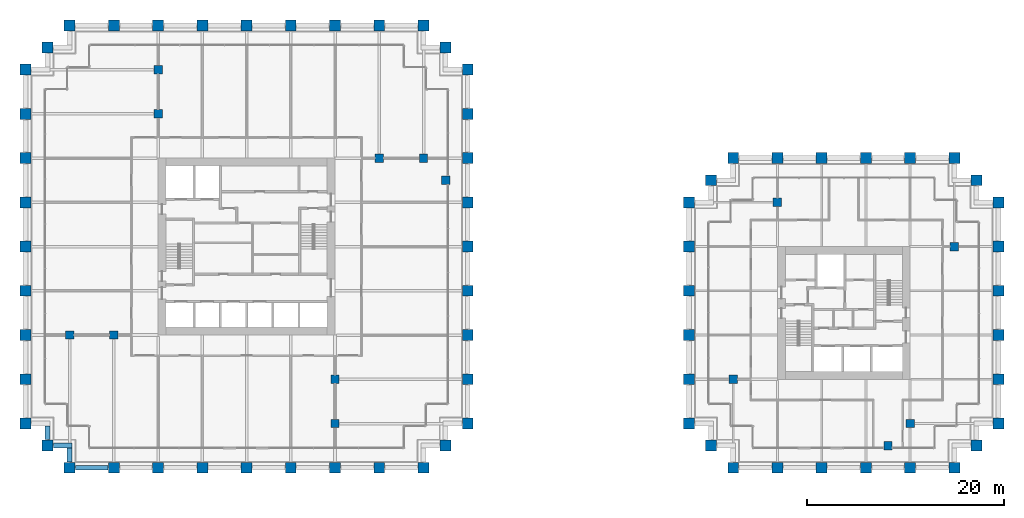
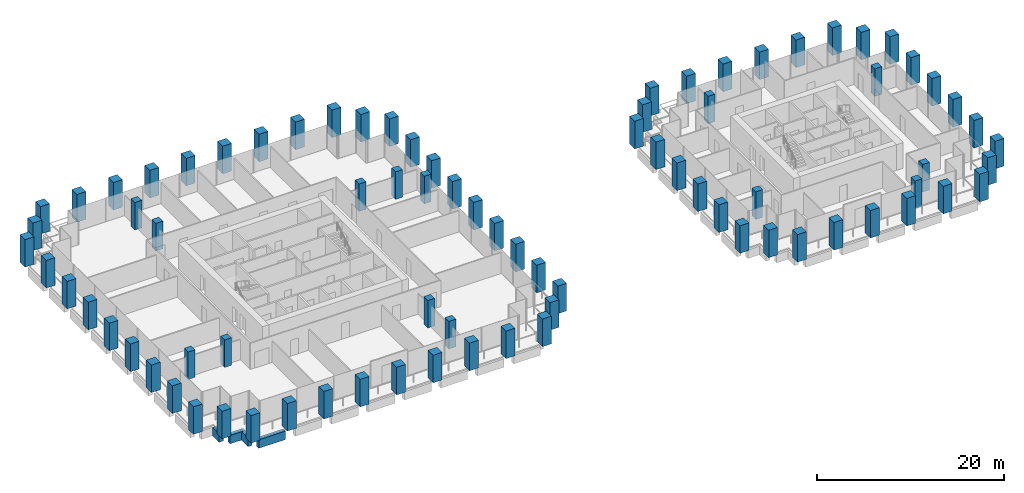
# One storey, part 1 of 55: 82 columns, 4 beams.
"""IFC4 building model written with IfcOpenShell, lengths in metres."""

import ifcopenshell
import ifcopenshell.guid

model = None  # the IFC model being written
_history = None  # IfcOwnerHistory: only IFC2X3 demands one
_inside = {}  # id of a spatial element -> (the spatial element, [elements in it])
_under = {}  # id of a project, library or spatial element -> (it, [spatial elements below it])
_declared = {}  # id of a project -> (the project, [libraries it declares])
_typed = {}  # id of a type object -> (the type object, [elements of that type])
_made_of = {}  # id of a material, layer set ... -> (it, [elements and type objects made of it])


def new_model(schema):
    """Start an empty IFC model of exactly this schema.

    Asked for "IFC4X3", IfcOpenShell would pick the latest addendum, in which some entities
    have other attributes; the version numbers below select the first issue.
    IFC2X3 requires an IfcOwnerHistory on every rooted entity: one is made here for all.
    """
    global model, _history
    if schema == "IFC4X3":
        model = ifcopenshell.file(schema_version=(4, 3, 0, 0))
    else:
        model = ifcopenshell.file(schema=schema)
    _inside.clear()
    _under.clear()
    _declared.clear()
    _typed.clear()
    _made_of.clear()
    _history = None
    if model.schema == "IFC2X3":
        org = make("IfcOrganization", Name="unknown")
        user = make(
            "IfcPersonAndOrganization",
            ThePerson=make("IfcPerson", FamilyName="unknown"),
            TheOrganization=org,
        )
        app = make(
            "IfcApplication",
            ApplicationDeveloper=org,
            Version="unknown",
            ApplicationFullName="unknown",
            ApplicationIdentifier="unknown",
        )
        _history = make(
            "IfcOwnerHistory",
            OwningUser=user,
            OwningApplication=app,
            ChangeAction="ADDED",
            CreationDate=0,
        )
    return model


def make(cls, **values):
    """One entity of the class cls with the attributes given. An attribute that is None is left unset."""
    return model.create_entity(
        cls, **{name: value for name, value in values.items() if value is not None}
    )


def rooted(cls, **values):
    """An entity with a GlobalId (a new one), such as an element, a storey or a relation."""
    return make(cls, GlobalId=ifcopenshell.guid.new(), OwnerHistory=_history, **values)


def si_unit(unit_type, name, prefix=None):
    """IfcSIUnit, for example si_unit("LENGTHUNIT", "METRE", prefix="MILLI")."""
    return make("IfcSIUnit", UnitType=unit_type, Prefix=prefix, Name=name)


def assignment(units):
    """IfcUnitAssignment: the units of a project."""
    return None if units is None else make("IfcUnitAssignment", Units=units)


def point(xyz):
    """IfcCartesianPoint."""
    return None if xyz is None else make("IfcCartesianPoint", Coordinates=xyz)


def direction(xyz):
    """IfcDirection."""
    return None if xyz is None else make("IfcDirection", DirectionRatios=xyz)


def frame(location, z_axis=None, x_axis=None):
    """IfcAxis2Placement3D, a coordinate frame: its origin and axes. An axis left out is left unset."""
    return make(
        "IfcAxis2Placement3D",
        Location=point(location),
        Axis=direction(z_axis),
        RefDirection=direction(x_axis),
    )


def frame_2d(location, x_axis=None):
    """IfcAxis2Placement2D, a coordinate frame in the plane: its origin and x axis."""
    return make(
        "IfcAxis2Placement2D", Location=point(location), RefDirection=direction(x_axis)
    )


def origin():
    """The frame at (0, 0, 0) with its axes left unset."""
    return frame((0.0, 0.0, 0.0))


def origin_2d():
    """The frame at (0, 0) in the plane with its x axis left unset."""
    return frame_2d((0.0, 0.0))


def place(relative_to, where):
    """IfcLocalPlacement: puts the frame where relative to a parent placement (None: the world)."""
    return make(
        "IfcLocalPlacement", PlacementRelTo=relative_to, RelativePlacement=where
    )


def context(
    kind, dimensions, precision=None, world=None, true_north=None, identifier=None
):
    """IfcGeometricRepresentationContext, for example the 3D "Model" context."""
    return make(
        "IfcGeometricRepresentationContext",
        ContextIdentifier=identifier,
        ContextType=kind,
        CoordinateSpaceDimension=dimensions,
        Precision=precision,
        WorldCoordinateSystem=world,
        TrueNorth=true_north,
    )


def subcontext(parent, identifier, kind, view, scale=None):
    """IfcGeometricRepresentationSubContext, for example "Body" below "Model"."""
    return make(
        "IfcGeometricRepresentationSubContext",
        ContextIdentifier=identifier,
        ContextType=kind,
        ParentContext=parent,
        TargetScale=scale,
        TargetView=view,
    )


def project(units=None, contexts=None):
    """IfcProject with its units and contexts."""
    return rooted(
        "IfcProject",
        Name="project",
        RepresentationContexts=contexts,
        UnitsInContext=assignment(units),
    )


def spatial(cls, under=None, at=None, **own):
    """A site, building, storey or space (cls), placed at a placement, below another one or the project."""
    s = rooted(cls, ObjectPlacement=at, **own)
    if under is not None:
        _under.setdefault(under.id(), (under, []))[1].append(s)
    return s


def profile(cls, at=None, kind="AREA", **sizes):
    """A parametric profile (cls). Its sizes go by their IFC names, for example OverallWidth=200.0."""
    return make(cls, ProfileType=kind, Position=at, **sizes)


def rectangle(**sizes):
    """IfcRectangleProfileDef."""
    return profile("IfcRectangleProfileDef", **sizes)


def extrude(swept, where, along, depth):
    """IfcExtrudedAreaSolid: the profile swept, set in the frame where, extruded along a direction by depth."""
    return make(
        "IfcExtrudedAreaSolid",
        SweptArea=swept,
        Position=where,
        ExtrudedDirection=direction(along),
        Depth=depth,
    )


def shape(context_of_items, identifier, shape_type, items):
    """IfcShapeRepresentation: the items that make up one representation, for example the "Body"."""
    return make(
        "IfcShapeRepresentation",
        ContextOfItems=context_of_items,
        RepresentationIdentifier=identifier,
        RepresentationType=shape_type,
        Items=items,
    )


def material(Name=None, Category=None):
    """IfcMaterial."""
    return make("IfcMaterial", Name=Name, Category=Category)


def material_profile(
    of_material, cross_section, Name=None, Category=None, Priority=None
):
    """IfcMaterialProfile: a cross section and its material."""
    return make(
        "IfcMaterialProfile",
        Name=Name,
        Material=of_material,
        Profile=cross_section,
        Priority=Priority,
        Category=Category,
    )


def profile_set(profiles, Name=None, composite=None):
    """IfcMaterialProfileSet."""
    return make(
        "IfcMaterialProfileSet",
        Name=Name,
        MaterialProfiles=profiles,
        CompositeProfile=composite,
    )


def made_of(thing, what):
    """Note that an element or type object is made of a material, layer set ...; save() writes the relation."""
    if what is not None:
        _made_of.setdefault(what.id(), (what, []))[1].append(thing)
    return thing


def type_object(cls, material=None, **own):
    """A type object (cls), such as IfcWallType, which elements share."""
    return made_of(rooted(cls, **own), material)


def element(
    cls,
    number,
    at=None,
    inside=None,
    cuts=None,
    type_object=None,
    material=None,
    context=None,
    identifier="Body",
    shape_type=None,
    held_by="IfcProductDefinitionShape",
    body=None,
    shapes=None,
    **own,
):
    """One element of the class cls, such as IfcWall. Its Tag is "e" and its number.

    at: its placement. inside: the storey or other place that contains it. cuts: it is an
    opening in that element (IfcRelVoidsElement). A single representation is given by context,
    identifier, shape_type and body (its items); several are given by shapes. held_by: the class
    of the entity that holds the representations. save() writes the other relations.
    """
    e = rooted(cls, Tag="e%d" % number, ObjectPlacement=at, **own)
    if body is not None:
        shapes = [shape(context, identifier, shape_type, body)]
    if shapes is not None:
        e.Representation = make(held_by, Representations=shapes)
    if inside is not None:
        _inside.setdefault(inside.id(), (inside, []))[1].append(e)
    if cuts is not None:
        rooted(
            "IfcRelVoidsElement", RelatingBuildingElement=cuts, RelatedOpeningElement=e
        )
    if type_object is not None:
        _typed.setdefault(type_object.id(), (type_object, []))[1].append(e)
    return made_of(e, material)


def aggregate(whole, parts):
    """IfcRelAggregates: a whole, such as a stair, and the parts it consists of."""
    return rooted("IfcRelAggregates", RelatingObject=whole, RelatedObjects=parts)


def save(model, path):
    """Write the relations noted so far, then the file.

    IfcRelAggregates (storeys below a building ...), IfcRelContainedInSpatialStructure (elements
    in a storey), IfcRelDefinesByType, IfcRelAssociatesMaterial and IfcRelDeclares: one each for
    every whole, place, type object, material and project.
    """
    for whole, parts in _under.values():
        aggregate(whole, parts)
    for where, things in _inside.values():
        rooted(
            "IfcRelContainedInSpatialStructure",
            RelatedElements=things,
            RelatingStructure=where,
        )
    for kind, things in _typed.values():
        rooted("IfcRelDefinesByType", RelatedObjects=things, RelatingType=kind)
    for what, things in _made_of.values():
        rooted("IfcRelAssociatesMaterial", RelatedObjects=things, RelatingMaterial=what)
    for by, libraries in _declared.values():
        rooted("IfcRelDeclares", RelatingContext=by, RelatedDefinitions=libraries)
    model.write(path)


model = new_model("IFC4")

# Units and contexts
model_context = context("Model", 3, precision=1e-05, world=origin(), true_north=direction((0.0, 1.0)))
body_context = subcontext(model_context, "Body", "Model", "MODEL_VIEW")
ifc_project = project(units=[si_unit("LENGTHUNIT", "METRE"), si_unit("AREAUNIT", "SQUARE_METRE"), si_unit("VOLUMEUNIT", "CUBIC_METRE"), si_unit("PLANEANGLEUNIT", "RADIAN"), si_unit("MASSUNIT", "GRAM", prefix="KILO")], contexts=[model_context])

# Site, building, storey
site_placement = place(None, origin())
site = spatial("IfcSite", under=ifc_project, at=site_placement, CompositionType="ELEMENT")
building_placement = place(site_placement, origin())
building = spatial("IfcBuilding", under=site, at=building_placement, Name="Altepetl Exchange Towers", CompositionType="ELEMENT")
storey_placement = place(building_placement, frame((0.0, 0.0, 47.39990234375)))
storey = spatial("IfcBuildingStorey", under=building, at=storey_placement, Name="L10", CompositionType="ELEMENT", Elevation=47.39990234375)

# Columns
ifc_material_1 = material(Name="Concrete C70/85", Category="concrete")
ifc_material_profile_1 = material_profile(ifc_material_1, rectangle(XDim=0.85009765625, YDim=0.85009765625, at=origin_2d()), Name="850 x 850")
ifc_profile_set_1 = profile_set([ifc_material_profile_1], Name="Concrete C70/85")
column_type_1 = type_object("IfcColumnType", Name="Interior column 850", PredefinedType="COLUMN", material=ifc_profile_set_1)
for number, where, name in (
    (1, (31.5, 40.5, 0.0), "col:A:L10:040"),
    (2, (36.0, 40.5, 0.0), "col:A:L10:041"),
    (3, (40.5, 63.0, 0.0), "col:A:L10:042"),
    (4, (40.5, 67.5, 0.0), "col:A:L10:043"),
    (5, (58.5, 31.5, 0.0), "col:A:L10:044"),
    (6, (58.5, 36.0, 0.0), "col:A:L10:045"),
    (7, (63.0, 58.5, 0.0), "col:A:L10:046"),
    (8, (67.5, 58.5, 0.0), "col:A:L10:047"),
    (9, (69.75, 56.25, 0.0), "col:A:L10:048"),
    (10, (99.0, 36.0, 0.0), "col:B:L10:028"),
    (11, (103.5, 54.0, 0.0), "col:B:L10:029"),
    (12, (114.75, 29.25, 0.0), "col:B:L10:030"),
    (13, (117.0, 31.5, 0.0), "col:B:L10:031"),
    (14, (121.5, 49.5, 0.0), "col:B:L10:032"),
):
    element("IfcColumn", number, at=place(storey_placement, frame(where)), inside=storey, type_object=column_type_1, Name=name, PredefinedType="COLUMN", context=body_context, shape_type="SweptSolid", body=[
        extrude(rectangle(XDim=0.85009765625, YDim=0.85009765625, at=origin_2d()), origin(), (0.0, 0.0, 1.0), 3.60009765625),
    ])
ifc_material_2 = material(Name="Concrete C70/85 precast with cantera amarilla facing", Category="concrete")
ifc_material_profile_2 = material_profile(ifc_material_2, rectangle(XDim=1.10009765625, YDim=1.10009765625, at=origin_2d()), Name="1100 x 1100")
ifc_profile_set_2 = profile_set([ifc_material_profile_2], Name="Concrete C70/85 precast with cantera amarilla facing")
column_type_2 = type_object("IfcColumnType", Name="Perimeter column 1100 cantera amarilla", PredefinedType="COLUMN", material=ifc_profile_set_2)
for number, where, name in (
    (15, (58.5, 27.0, 0.0), "col:A:L10:006"),
    (16, (63.0, 27.0, 0.0), "col:A:L10:007"),
    (17, (67.5, 27.0, 0.0), "col:A:L10:008"),
    (18, (69.75, 29.25, 0.0), "col:A:L10:009"),
    (19, (72.0, 31.5, 0.0), "col:A:L10:010"),
    (20, (72.0, 36.0, 0.0), "col:A:L10:011"),
    (21, (72.0, 40.5, 0.0), "col:A:L10:012"),
    (22, (72.0, 45.0, 0.0), "col:A:L10:013"),
    (23, (72.0, 49.5, 0.0), "col:A:L10:014"),
    (24, (72.0, 54.0, 0.0), "col:A:L10:015"),
    (25, (126.0, 49.5, 0.0), "col:B:L10:011"),
    (26, (126.0, 54.0, 0.0), "col:B:L10:012"),
    (27, (123.75, 56.25, 0.0), "col:B:L10:013"),
    (28, (121.5, 58.5, 0.0), "col:B:L10:014"),
    (29, (117.0, 58.5, 0.0), "col:B:L10:015"),
    (30, (112.5, 58.5, 0.0), "col:B:L10:016"),
    (31, (108.0, 58.5, 0.0), "col:B:L10:017"),
):
    element("IfcColumn", number, at=place(storey_placement, frame(where)), inside=storey, type_object=column_type_2, Name=name, PredefinedType="COLUMN", context=body_context, shape_type="SweptSolid", body=[
        extrude(rectangle(XDim=1.10009765625, YDim=1.10009765625, at=origin_2d()), origin(), (0.0, 0.0, 1.0), 3.60009765625),
    ])
ifc_material_3 = material(Name="Concrete C70/85 precast with cantera blanca facing", Category="concrete")
ifc_material_profile_3 = material_profile(ifc_material_3, rectangle(XDim=1.10009765625, YDim=1.10009765625, at=origin_2d()), Name="1100 x 1100")
ifc_profile_set_3 = profile_set([ifc_material_profile_3], Name="Concrete C70/85 precast with cantera blanca facing")
column_type_3 = type_object("IfcColumnType", Name="Perimeter column 1100 cantera blanca", PredefinedType="COLUMN", material=ifc_profile_set_3)
for number, where, name in (
    (32, (31.5, 27.0, 0.0), "col:A:L10:000"),
    (33, (36.0, 27.0, 0.0), "col:A:L10:001"),
    (34, (40.5, 27.0, 0.0), "col:A:L10:002"),
    (35, (45.0, 27.0, 0.0), "col:A:L10:003"),
    (36, (49.5, 27.0, 0.0), "col:A:L10:004"),
    (37, (54.0, 27.0, 0.0), "col:A:L10:005"),
    (38, (27.0, 36.0, 0.0), "col:A:L10:037"),
    (39, (27.0, 31.5, 0.0), "col:A:L10:038"),
    (40, (29.25, 29.25, 0.0), "col:A:L10:039"),
    (41, (117.0, 27.0, 0.0), "col:B:L10:004"),
    (42, (121.5, 27.0, 0.0), "col:B:L10:005"),
    (43, (123.75, 29.25, 0.0), "col:B:L10:006"),
    (44, (126.0, 31.5, 0.0), "col:B:L10:007"),
    (45, (126.0, 36.0, 0.0), "col:B:L10:008"),
    (46, (126.0, 40.5, 0.0), "col:B:L10:009"),
    (47, (126.0, 45.0, 0.0), "col:B:L10:010"),
):
    element("IfcColumn", number, at=place(storey_placement, frame(where)), inside=storey, type_object=column_type_3, Name=name, PredefinedType="COLUMN", context=body_context, shape_type="SweptSolid", body=[
        extrude(rectangle(XDim=1.10009765625, YDim=1.10009765625, at=origin_2d()), origin(), (0.0, 0.0, 1.0), 3.60009765625),
    ])
ifc_material_4 = material(Name="Concrete C70/85 precast with cantera rosa facing", Category="concrete")
ifc_material_profile_4 = material_profile(ifc_material_4, rectangle(XDim=1.10009765625, YDim=1.10009765625, at=origin_2d()), Name="1100 x 1100")
ifc_profile_set_4 = profile_set([ifc_material_profile_4], Name="Concrete C70/85 precast with cantera rosa facing")
column_type_4 = type_object("IfcColumnType", Name="Perimeter column 1100 cantera rosa", PredefinedType="COLUMN", material=ifc_profile_set_4)
for number, where, name in (
    (48, (72.0, 58.5, 0.0), "col:A:L10:016"),
    (49, (72.0, 63.0, 0.0), "col:A:L10:017"),
    (50, (72.0, 67.5, 0.0), "col:A:L10:018"),
    (51, (69.75, 69.75, 0.0), "col:A:L10:019"),
    (52, (67.5, 72.0, 0.0), "col:A:L10:020"),
    (53, (63.0, 72.0, 0.0), "col:A:L10:021"),
    (54, (58.5, 72.0, 0.0), "col:A:L10:022"),
    (55, (54.0, 72.0, 0.0), "col:A:L10:023"),
    (56, (49.5, 72.0, 0.0), "col:A:L10:024"),
    (57, (45.0, 72.0, 0.0), "col:A:L10:025"),
    (58, (103.5, 58.5, 0.0), "col:B:L10:018"),
    (59, (99.0, 58.5, 0.0), "col:B:L10:019"),
    (60, (96.75, 56.25, 0.0), "col:B:L10:020"),
    (61, (94.5, 54.0, 0.0), "col:B:L10:021"),
    (62, (94.5, 49.5, 0.0), "col:B:L10:022"),
    (63, (94.5, 45.0, 0.0), "col:B:L10:023"),
    (64, (94.5, 40.5, 0.0), "col:B:L10:024"),
    (65, (94.5, 36.0, 0.0), "col:B:L10:025"),
):
    element("IfcColumn", number, at=place(storey_placement, frame(where)), inside=storey, type_object=column_type_4, Name=name, PredefinedType="COLUMN", context=body_context, shape_type="SweptSolid", body=[
        extrude(rectangle(XDim=1.10009765625, YDim=1.10009765625, at=origin_2d()), origin(), (0.0, 0.0, 1.0), 3.60009765625),
    ])
ifc_material_5 = material(Name="Concrete C70/85 precast with tezontle facing", Category="concrete")
ifc_material_profile_5 = material_profile(ifc_material_5, rectangle(XDim=1.10009765625, YDim=1.10009765625, at=origin_2d()), Name="1100 x 1100")
ifc_profile_set_5 = profile_set([ifc_material_profile_5], Name="Concrete C70/85 precast with tezontle facing")
column_type_5 = type_object("IfcColumnType", Name="Perimeter column 1100 tezontle", PredefinedType="COLUMN", material=ifc_profile_set_5)
for number, where, name in (
    (66, (40.5, 72.0, 0.0), "col:A:L10:026"),
    (67, (36.0, 72.0, 0.0), "col:A:L10:027"),
    (68, (31.5, 72.0, 0.0), "col:A:L10:028"),
    (69, (29.25, 69.75, 0.0), "col:A:L10:029"),
    (70, (27.0, 67.5, 0.0), "col:A:L10:030"),
    (71, (27.0, 63.0, 0.0), "col:A:L10:031"),
    (72, (27.0, 58.5, 0.0), "col:A:L10:032"),
    (73, (27.0, 54.0, 0.0), "col:A:L10:033"),
    (74, (27.0, 49.5, 0.0), "col:A:L10:034"),
    (75, (27.0, 45.0, 0.0), "col:A:L10:035"),
    (76, (27.0, 40.5, 0.0), "col:A:L10:036"),
    (77, (99.0, 27.0, 0.0), "col:B:L10:000"),
    (78, (103.5, 27.0, 0.0), "col:B:L10:001"),
    (79, (108.0, 27.0, 0.0), "col:B:L10:002"),
    (80, (112.5, 27.0, 0.0), "col:B:L10:003"),
    (81, (94.5, 31.5, 0.0), "col:B:L10:026"),
    (82, (96.75, 29.25, 0.0), "col:B:L10:027"),
):
    element("IfcColumn", number, at=place(storey_placement, frame(where)), inside=storey, type_object=column_type_5, Name=name, PredefinedType="COLUMN", context=body_context, shape_type="SweptSolid", body=[
        extrude(rectangle(XDim=1.10009765625, YDim=1.10009765625, at=origin_2d()), origin(), (0.0, 0.0, 1.0), 3.60009765625),
    ])

# Beams
ifc_material_6 = material(Name="Concrete C50/60 precast with cantera blanca facing", Category="concrete")
ifc_material_profile_6 = material_profile(ifc_material_6, rectangle(XDim=0.5, YDim=1.10009765625, at=origin_2d()), Name="500 x 1100")
ifc_profile_set_6 = profile_set([ifc_material_profile_6], Name="Concrete C50/60 precast with cantera blanca facing")
beam_type = type_object("IfcBeamType", Name="Spandrel beam 500x1100 cantera blanca", PredefinedType="SPANDREL", material=ifc_profile_set_6)
beam_1_placement = place(storey_placement, frame((32.10009765625, 27.0, -0.699951171875), z_axis=(1.0, 0.0, 0.0), x_axis=(0.0, 1.0, 0.0)))
element("IfcBeam", 83, at=beam_1_placement, inside=storey, type_object=beam_type, Name="sp:A:L10:000", PredefinedType="SPANDREL", context=body_context, shape_type="SweptSolid", body=[
    extrude(rectangle(XDim=0.5, YDim=1.10009765625, at=origin_2d()), origin(), (0.0, 0.0, 1.0), 3.2998046875),
])
beam_2_placement = place(storey_placement, frame((29.25, 31.25, -0.699951171875), z_axis=(0.0, -1.0, 0.0), x_axis=(1.0, 0.0, 0.0)))
element("IfcBeam", 84, at=beam_2_placement, inside=storey, type_object=beam_type, Name="sp:A:L10:045", PredefinedType="SPANDREL", context=body_context, shape_type="SweptSolid", body=[
    extrude(rectangle(XDim=0.5, YDim=1.10009765625, at=origin_2d()), origin(), (0.0, 0.0, 1.0), 1.39990234375),
])
beam_3_placement = place(storey_placement, frame((29.85009765625, 29.25, -0.699951171875), z_axis=(1.0, 0.0, 0.0), x_axis=(0.0, 1.0, 0.0)))
element("IfcBeam", 85, at=beam_3_placement, inside=storey, type_object=beam_type, Name="sp:A:L10:046", PredefinedType="SPANDREL", context=body_context, shape_type="SweptSolid", body=[
    extrude(rectangle(XDim=0.5, YDim=1.10009765625, at=origin_2d()), origin(), (0.0, 0.0, 1.0), 1.89990234375),
])
beam_4_placement = place(storey_placement, frame((31.5, 29.0, -0.699951171875), z_axis=(0.0, -1.0, 0.0), x_axis=(1.0, 0.0, 0.0)))
element("IfcBeam", 86, at=beam_4_placement, inside=storey, type_object=beam_type, Name="sp:A:L10:047", PredefinedType="SPANDREL", context=body_context, shape_type="SweptSolid", body=[
    extrude(rectangle(XDim=0.5, YDim=1.10009765625, at=origin_2d()), origin(), (0.0, 0.0, 1.0), 1.39990234375),
])

save(model, "model.ifc")
